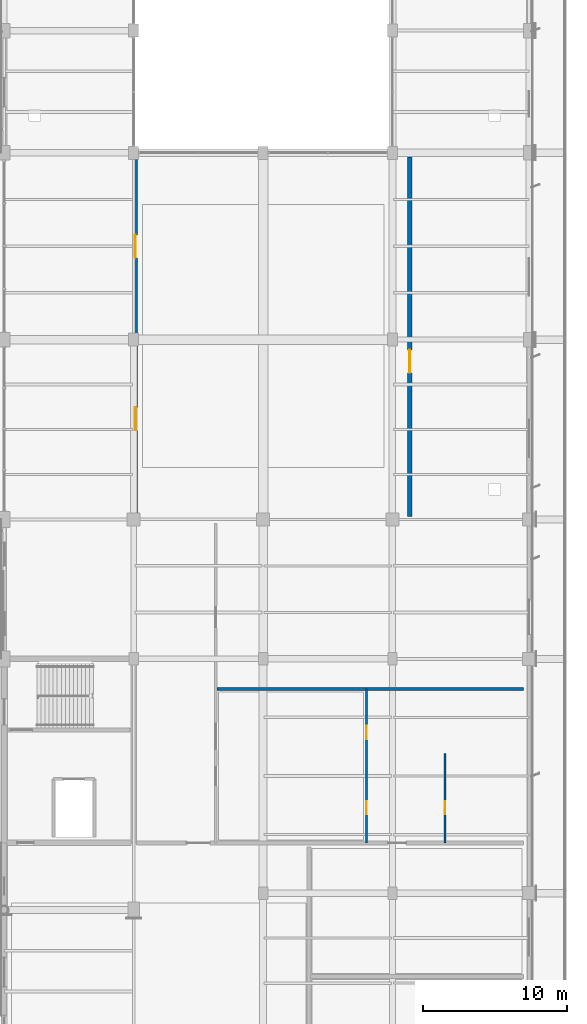
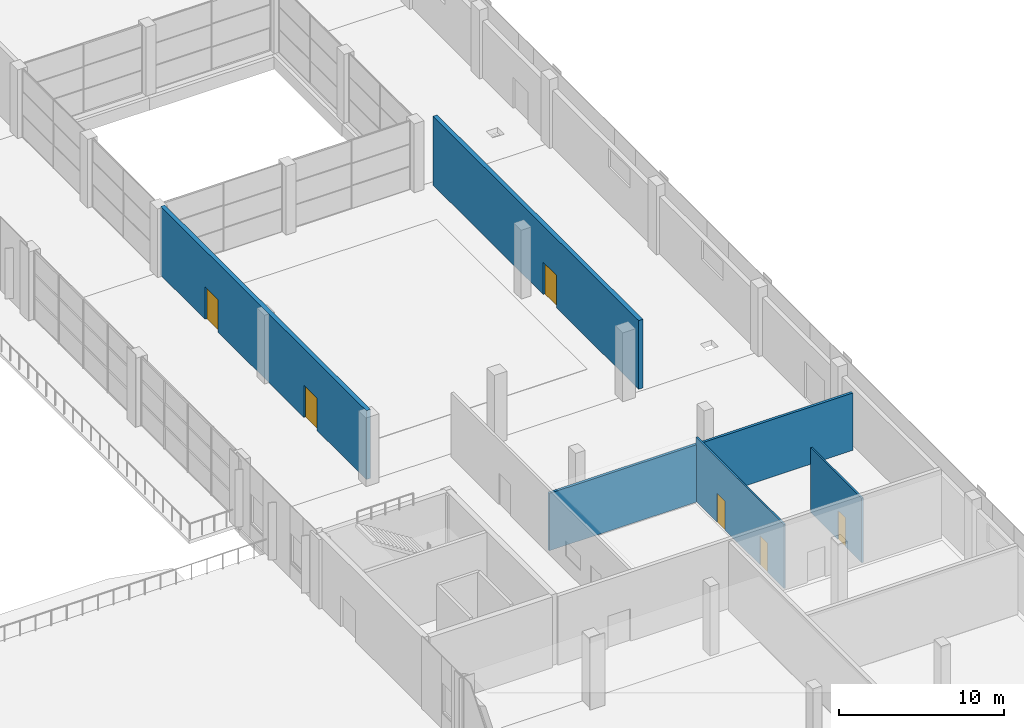
# One storey, part 71 of 90: 6 doors, 5 walls, 6 openings.
"""IFC4 building model written with IfcOpenShell, lengths in metres."""

from ifc_helpers import new_model, si_unit, direction, frame, frame_2d, origin, place, context, subcontext, project, spatial, rectangle, extrude, material, layer, layer_set, type_object, element, fill, save


model = new_model("IFC4")

# Units and contexts
model_context = context("Model", 3, precision=1e-05, world=origin(), true_north=direction((0.0, 1.0)))
body_context = subcontext(model_context, "Body", "Model", "MODEL_VIEW")
ifc_project = project(units=[si_unit("LENGTHUNIT", "METRE"), si_unit("AREAUNIT", "SQUARE_METRE"), si_unit("VOLUMEUNIT", "CUBIC_METRE"), si_unit("PLANEANGLEUNIT", "RADIAN"), si_unit("MASSUNIT", "GRAM", prefix="KILO")], contexts=[model_context])

# Site, building, storey
site_placement = place(None, origin())
site = spatial("IfcSite", under=ifc_project, at=site_placement, CompositionType="ELEMENT")
building_placement = place(site_placement, origin())
building = spatial("IfcBuilding", under=site, at=building_placement, Name="Solvikara Media Centre", CompositionType="ELEMENT")
storey_placement = place(building_placement, origin())
storey = spatial("IfcBuildingStorey", under=building, at=storey_placement, Name="L00", CompositionType="ELEMENT", Elevation=0.0)

# Wall, openings, doors
ifc_material_1 = material(Name="Concrete fc' 45 MPa (C45/55)", Category="concrete")
ifc_layer_1 = layer(ifc_material_1, 0.300048828125)
ifc_layer_set_1 = layer_set([ifc_layer_1], Name="Concrete fc' 45 MPa (C45/55)")
wall_type_1 = type_object("IfcWallType", Name="WT-05", PredefinedType="STANDARD", material=ifc_layer_set_1)
wall_1_placement = place(storey_placement, frame((136.60009765625, 46.699951171875, 0.0), z_axis=(0.0, 0.0, 1.0), x_axis=(0.0, 1.0, 0.0)))
wall_1 = element("IfcWall", 1, at=wall_1_placement, inside=storey, type_object=wall_type_1, Name="PW-L00-037", PredefinedType="STANDARD", context=body_context, shape_type="SweptSolid", body=[
    extrude(rectangle(XDim=25.0, YDim=0.300048828125, at=frame_2d((12.5, 0.0))), origin(), (0.0, 0.0, 1.0), 5.10009765625),
])
opening_1_placement = place(wall_1_placement, frame((6.0, 0.0, 0.0)))
opening_1 = element("IfcOpeningElement", 2, at=opening_1_placement, cuts=wall_1, Name="Opening D-L00-037-1", PredefinedType="OPENING", context=body_context, shape_type="SweptSolid", body=[
    extrude(rectangle(XDim=1.60009765625, YDim=2.39990234375, at=frame_2d((0.800048828125, 1.199951171875))), frame((0.0, 0.162109375, 0.0), z_axis=(0.0, -1.0, 0.0), x_axis=(1.0, 0.0, 0.0)), (0.0, 0.0, 1.0), 0.323974609375),
])
opening_2_placement = place(wall_1_placement, frame((18.0, 0.0, 0.0)))
opening_2 = element("IfcOpeningElement", 3, at=opening_2_placement, cuts=wall_1, Name="Opening D-L00-037-2", PredefinedType="OPENING", context=body_context, shape_type="SweptSolid", body=[
    extrude(rectangle(XDim=1.60009765625, YDim=2.39990234375, at=frame_2d((0.800048828125, 1.199951171875))), frame((0.0, 0.162109375, 0.0), z_axis=(0.0, -1.0, 0.0), x_axis=(1.0, 0.0, 0.0)), (0.0, 0.0, 1.0), 0.323974609375),
])
ifc_material_2 = material(Name="Solid core acoustic hardwood timber", Category="wood")
door_type_1 = type_object("IfcDoorType", Name="DT-13", OperationType="DOUBLE_DOOR_SINGLE_SWING", PredefinedType="DOOR", material=ifc_material_2)
door_1_placement = place(opening_1_placement, origin())
door_1 = element("IfcDoor", 4, at=door_1_placement, inside=storey, type_object=door_type_1, Name="D-L00-037-1", OperationType="DOUBLE_DOOR_SINGLE_SWING", OverallHeight=2.39990234375, OverallWidth=1.60009765625, PredefinedType="DOOR", context=body_context, shape_type="SweptSolid", body=[
    extrude(rectangle(XDim=1.60009765625, YDim=2.39990234375, at=frame_2d((0.800048828125, 1.199951171875))), frame((0.0, 0.02490234375, 0.0), z_axis=(0.0, -1.0, 0.0), x_axis=(1.0, 0.0, 0.0)), (0.0, 0.0, 1.0), 0.050048828125),
])
fill(opening_1, door_1)
door_2_placement = place(opening_2_placement, origin())
door_2 = element("IfcDoor", 5, at=door_2_placement, inside=storey, type_object=door_type_1, Name="D-L00-037-2", OperationType="DOUBLE_DOOR_SINGLE_SWING", OverallHeight=2.39990234375, OverallWidth=1.60009765625, PredefinedType="DOOR", context=body_context, shape_type="SweptSolid", body=[
    extrude(rectangle(XDim=1.60009765625, YDim=2.39990234375, at=frame_2d((0.800048828125, 1.199951171875))), frame((0.0, 0.02490234375, 0.0), z_axis=(0.0, -1.0, 0.0), x_axis=(1.0, 0.0, 0.0)), (0.0, 0.0, 1.0), 0.050048828125),
])
fill(opening_2, door_2)

# Wall, opening, door
wall_2_placement = place(storey_placement, frame((155.699951171875, 46.699951171875, 0.0), z_axis=(0.0, 0.0, 1.0), x_axis=(0.0, 1.0, 0.0)))
wall_2 = element("IfcWall", 6, at=wall_2_placement, inside=storey, type_object=wall_type_1, Name="PW-L00-038", PredefinedType="STANDARD", context=body_context, shape_type="SweptSolid", body=[
    extrude(rectangle(XDim=25.0, YDim=0.300048828125, at=frame_2d((12.5, 0.0))), origin(), (0.0, 0.0, 1.0), 5.10009765625),
])
opening_3_placement = place(wall_2_placement, frame((10.0, 0.0, 0.0)))
opening_3 = element("IfcOpeningElement", 7, at=opening_3_placement, cuts=wall_2, Name="Opening D-L00-038-1", PredefinedType="OPENING", context=body_context, shape_type="SweptSolid", body=[
    extrude(rectangle(XDim=1.60009765625, YDim=2.39990234375, at=frame_2d((0.800048828125, 1.199951171875))), frame((0.0, 0.162109375, 0.0), z_axis=(0.0, -1.0, 0.0), x_axis=(1.0, 0.0, 0.0)), (0.0, 0.0, 1.0), 0.323974609375),
])
door_3_placement = place(opening_3_placement, origin())
door_3 = element("IfcDoor", 8, at=door_3_placement, inside=storey, type_object=door_type_1, Name="D-L00-038-1", OperationType="DOUBLE_DOOR_SINGLE_SWING", OverallHeight=2.39990234375, OverallWidth=1.60009765625, PredefinedType="DOOR", context=body_context, shape_type="SweptSolid", body=[
    extrude(rectangle(XDim=1.60009765625, YDim=2.39990234375, at=frame_2d((0.800048828125, 1.199951171875))), frame((0.0, 0.02490234375, 0.0), z_axis=(0.0, -1.0, 0.0), x_axis=(1.0, 0.0, 0.0)), (0.0, 0.0, 1.0), 0.050048828125),
])
fill(opening_3, door_3)

# Wall
ifc_material_3 = material(Name="Fire-rated gypsum and mineral-wool shaft wall assembly")
ifc_layer_2 = layer(ifc_material_3, 0.179931640625)
ifc_layer_set_2 = layer_set([ifc_layer_2], Name="Fire-rated gypsum and mineral-wool shaft wall assembly")
wall_type_2 = type_object("IfcWallType", Name="WT-18", PredefinedType="PARTITIONING", material=ifc_layer_set_2)
wall_3_placement = place(storey_placement, frame((142.300048828125, 34.699951171875, 0.0), z_axis=(0.0, 0.0, 1.0), x_axis=(1.0, 0.0, 0.0)))
element("IfcWall", 9, at=wall_3_placement, inside=storey, type_object=wall_type_2, Name="PW-L00-036", PredefinedType="PARTITIONING", context=body_context, shape_type="SweptSolid", body=[
    extrude(rectangle(XDim=21.300048828125, YDim=0.179931640625, at=frame_2d((10.64990234375, 0.0))), origin(), (0.0, 0.0, 1.0), 4.25),
])

# Wall, openings, doors
ifc_material_4 = material(Name="Double-stud acoustic gypsum partition assembly")
ifc_layer_3 = layer(ifc_material_4, 0.1201171875)
ifc_layer_set_3 = layer_set([ifc_layer_3], Name="Double-stud acoustic gypsum partition assembly")
wall_type_3 = type_object("IfcWallType", Name="WT-21", PredefinedType="PARTITIONING", material=ifc_layer_set_3)
wall_4_placement = place(storey_placement, frame((152.699951171875, 24.0, 0.0), z_axis=(0.0, 0.0, 1.0), x_axis=(0.0, 1.0, 0.0)))
wall_4 = element("IfcWall", 10, at=wall_4_placement, inside=storey, type_object=wall_type_3, Name="PW-L00-034", PredefinedType="PARTITIONING", context=body_context, shape_type="SweptSolid", body=[
    extrude(rectangle(XDim=10.699951171875, YDim=0.1201171875, at=frame_2d((5.35009765625, 0.0))), origin(), (0.0, 0.0, 1.0), 4.751953125),
])
opening_4_placement = place(wall_4_placement, frame((2.0, 0.0, 0.0)))
opening_4 = element("IfcOpeningElement", 11, at=opening_4_placement, cuts=wall_4, Name="Opening D-L00-034-1", PredefinedType="OPENING", context=body_context, shape_type="SweptSolid", body=[
    extrude(rectangle(XDim=0.89990234375, YDim=2.14990234375, at=frame_2d((0.449951171875, 1.074951171875))), frame((0.0, 0.072021484375, 0.0), z_axis=(0.0, -1.0, 0.0), x_axis=(1.0, 0.0, 0.0)), (0.0, 0.0, 1.0), 0.14404296875),
])
opening_5_placement = place(wall_4_placement, frame((7.199951171875, 0.0, 0.0)))
opening_5 = element("IfcOpeningElement", 12, at=opening_5_placement, cuts=wall_4, Name="Opening D-L00-034-2", PredefinedType="OPENING", context=body_context, shape_type="SweptSolid", body=[
    extrude(rectangle(XDim=0.949951171875, YDim=2.14990234375, at=frame_2d((0.47509765625, 1.074951171875))), frame((0.0, 0.072021484375, 0.0), z_axis=(0.0, -1.0, 0.0), x_axis=(1.0, 0.0, 0.0)), (0.0, 0.0, 1.0), 0.14404296875),
])
door_type_2 = type_object("IfcDoorType", Name="DT-17", OperationType="NOTDEFINED", PredefinedType="DOOR", material=ifc_material_2)
door_4_placement = place(opening_5_placement, frame((0.949951171875, 0.0, 0.0), z_axis=(0.0, 0.0, 1.0), x_axis=(-1.0, 0.0, 0.0)))
door_4 = element("IfcDoor", 13, at=door_4_placement, inside=storey, type_object=door_type_2, Name="D-L00-034-2", OperationType="SINGLE_SWING_LEFT", OverallHeight=2.14990234375, OverallWidth=0.949951171875, PredefinedType="DOOR", context=body_context, shape_type="SweptSolid", body=[
    extrude(rectangle(XDim=0.949951171875, YDim=2.14990234375, at=frame_2d((0.47509765625, 1.074951171875))), frame((0.0, 0.02490234375, 0.0), z_axis=(0.0, -1.0, 0.0), x_axis=(1.0, 0.0, 0.0)), (0.0, 0.0, 1.0), 0.050048828125),
])
fill(opening_5, door_4)
door_type_3 = type_object("IfcDoorType", Name="DT-18", OperationType="NOTDEFINED", PredefinedType="DOOR", material=ifc_material_2)
door_5_placement = place(opening_4_placement, origin())
door_5 = element("IfcDoor", 14, at=door_5_placement, inside=storey, type_object=door_type_3, Name="D-L00-034-1", OperationType="SINGLE_SWING_RIGHT", OverallHeight=2.14990234375, OverallWidth=0.89990234375, PredefinedType="DOOR", context=body_context, shape_type="SweptSolid", body=[
    extrude(rectangle(XDim=0.89990234375, YDim=2.14990234375, at=frame_2d((0.449951171875, 1.074951171875))), frame((0.0, 0.02490234375, 0.0), z_axis=(0.0, -1.0, 0.0), x_axis=(1.0, 0.0, 0.0)), (0.0, 0.0, 1.0), 0.050048828125),
])
fill(opening_4, door_5)

# Wall, opening, door
wall_5_placement = place(storey_placement, frame((158.14990234375, 24.0, 0.0), z_axis=(0.0, 0.0, 1.0), x_axis=(0.0, 1.0, 0.0)))
wall_5 = element("IfcWall", 15, at=wall_5_placement, inside=storey, type_object=wall_type_3, Name="PW-L00-035", PredefinedType="PARTITIONING", context=body_context, shape_type="SweptSolid", body=[
    extrude(rectangle(XDim=6.199951171875, YDim=0.1201171875, at=frame_2d((3.10009765625, 0.0))), origin(), (0.0, 0.0, 1.0), 4.802001953125),
])
opening_6_placement = place(wall_5_placement, frame((2.0, 0.0, 0.0)))
opening_6 = element("IfcOpeningElement", 16, at=opening_6_placement, cuts=wall_5, Name="Opening D-L00-035-1", PredefinedType="OPENING", context=body_context, shape_type="SweptSolid", body=[
    extrude(rectangle(XDim=0.89990234375, YDim=2.14990234375, at=frame_2d((0.449951171875, 1.074951171875))), frame((0.0, 0.072021484375, 0.0), z_axis=(0.0, -1.0, 0.0), x_axis=(1.0, 0.0, 0.0)), (0.0, 0.0, 1.0), 0.14404296875),
])
door_6_placement = place(opening_6_placement, origin())
door_6 = element("IfcDoor", 17, at=door_6_placement, inside=storey, type_object=door_type_3, Name="D-L00-035-1", OperationType="SINGLE_SWING_LEFT", OverallHeight=2.14990234375, OverallWidth=0.89990234375, PredefinedType="DOOR", context=body_context, shape_type="SweptSolid", body=[
    extrude(rectangle(XDim=0.89990234375, YDim=2.14990234375, at=frame_2d((0.449951171875, 1.074951171875))), frame((0.0, 0.02490234375, 0.0), z_axis=(0.0, -1.0, 0.0), x_axis=(1.0, 0.0, 0.0)), (0.0, 0.0, 1.0), 0.050048828125),
])
fill(opening_6, door_6)

save(model, "model.ifc")
